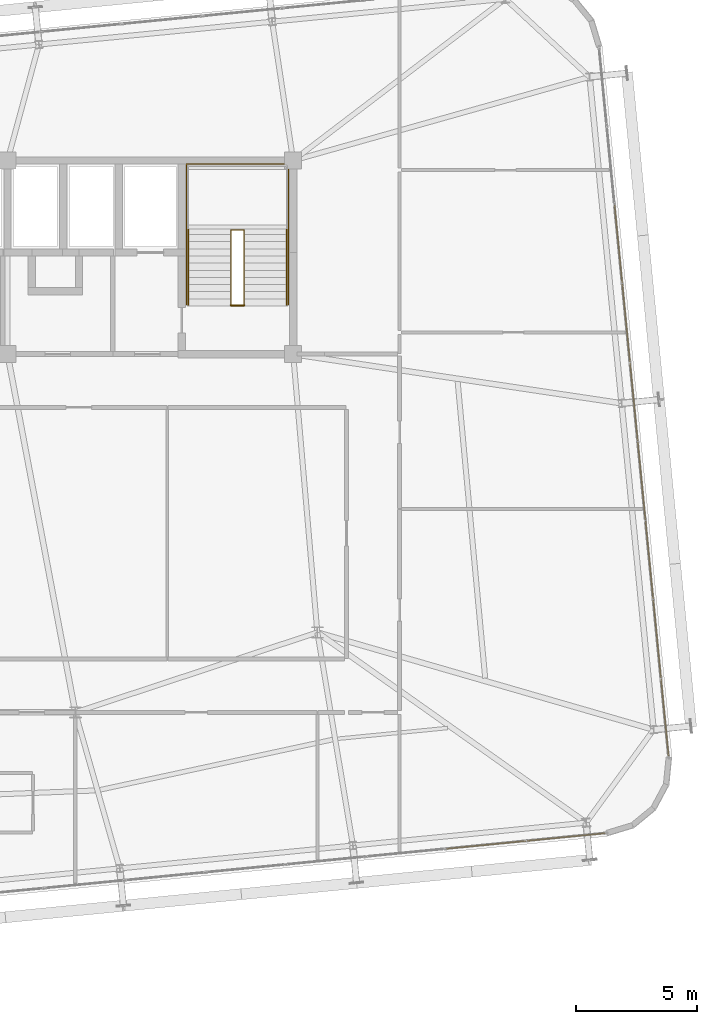
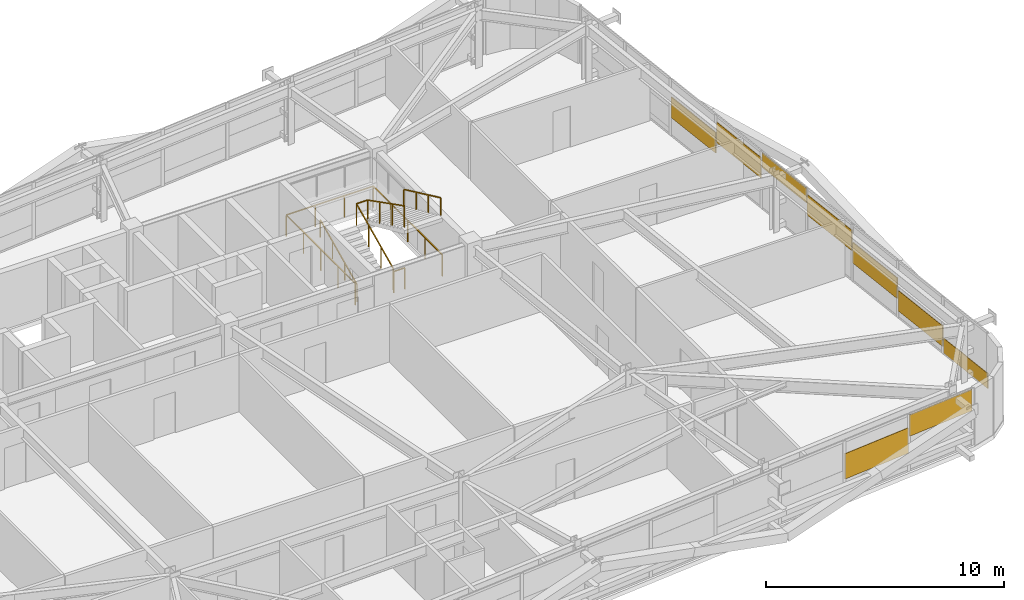
# One storey, part 51 of 52: 9 coverings, 5 railings.
"""IFC4 building model written with IfcOpenShell, lengths in metres."""

from ifc_helpers import new_model, si_unit, direction, frame, origin, origin_2d, place, context, subcontext, project, spatial, rectangle, extrude, source, transform, mapped, material, layer, layer_set, type_object, element, save


model = new_model("IFC4")

# Units and contexts
model_context = context("Model", 3, precision=1e-05, world=origin(), true_north=direction((0.0, 1.0)))
body_context = subcontext(model_context, "Body", "Model", "MODEL_VIEW")
ifc_project = project(units=[si_unit("LENGTHUNIT", "METRE"), si_unit("AREAUNIT", "SQUARE_METRE"), si_unit("VOLUMEUNIT", "CUBIC_METRE"), si_unit("PLANEANGLEUNIT", "RADIAN"), si_unit("MASSUNIT", "GRAM", prefix="KILO")], contexts=[model_context])

# Site, building, storey
site_placement = place(None, origin())
site = spatial("IfcSite", under=ifc_project, at=site_placement, CompositionType="ELEMENT")
building_placement = place(site_placement, origin())
building = spatial("IfcBuilding", under=site, at=building_placement, Name="Taldren Reach Tower", CompositionType="ELEMENT")
storey_placement = place(building_placement, frame((0.0, 0.0, 93.449951171875)))
storey = spatial("IfcBuildingStorey", under=building, at=storey_placement, Name="L28", CompositionType="ELEMENT", Elevation=93.449951171875)

# Railings
ifc_material_1 = material(Name="Steel Gr 350 (C350L0)", Category="steel")
ifc_layer_1 = layer(ifc_material_1, 0.050048828125)
ifc_layer_set_1 = layer_set([ifc_layer_1], Name="Steel Gr 350 (C350L0)")
railing_type_1 = type_object("IfcRailingType", Name="RL-STAIR-GR", PredefinedType="GUARDRAIL", material=ifc_layer_set_1)
railing_1_placement = place(storey_placement, frame((48.429931640625, 26.050048828125, 0.13134765625)))
element("IfcRailing", 1, at=railing_1_placement, inside=storey, type_object=railing_type_1, Name="Stairwell inner guard ST2-L28", PredefinedType="GUARDRAIL", context=body_context, shape_type="SweptSolid", body=[
    extrude(rectangle(XDim=0.047852, YDim=0.047852, at=origin_2d()), frame((0.0, 0.0, 1.09619140625), z_axis=(0.0, 0.905737652094, 0.423838773095), x_axis=(-1.0, 0.0, 0.0)), (0.0, 0.0, 1.0), 3.406005859375),
    extrude(rectangle(XDim=0.047852, YDim=0.047852, at=origin_2d()), frame((0.0, 3.0849609375, 2.53955078125), z_axis=(1.0, 0.0, 0.0), x_axis=(0.0, 1.0, 0.0)), (0.0, 0.0, 1.0), 0.5400390625),
    extrude(rectangle(XDim=0.047852, YDim=0.047852, at=origin_2d()), frame((0.5400390625, 3.0849609375, 2.53955078125), z_axis=(0.0, -0.890617412389, 0.454753366946), x_axis=(1.0, 0.0, 0.0)), (0.0, 0.0, 1.0), 3.4638671875),
    extrude(rectangle(XDim=0.041992, YDim=0.041992, at=origin_2d()), origin(), (0.0, 0.0, 1.0), 1.072021484375),
    extrude(rectangle(XDim=0.041992, YDim=0.041992, at=origin_2d()), frame((0.0, 1.0283203125, 0.481201171875)), (0.0, 0.0, 1.0), 1.072021484375),
    extrude(rectangle(XDim=0.041992, YDim=0.041992, at=origin_2d()), frame((0.0, 2.056640625, 0.96240234375)), (0.0, 0.0, 1.0), 1.072021484375),
    extrude(rectangle(XDim=0.041992, YDim=0.041992, at=origin_2d()), frame((0.0, 3.0849609375, 1.443603515625)), (0.0, 0.0, 1.0), 1.072021484375),
    extrude(rectangle(XDim=0.041992, YDim=0.041992, at=origin_2d()), frame((0.5400390625, 3.0849609375, 1.443603515625)), (0.0, 0.0, 1.0), 1.072021484375),
    extrude(rectangle(XDim=0.041992, YDim=0.041992, at=origin_2d()), frame((0.5400390625, 2.056640625, 1.96875)), (0.0, 0.0, 1.0), 1.072021484375),
    extrude(rectangle(XDim=0.041992, YDim=0.041992, at=origin_2d()), frame((0.5400390625, 1.0283203125, 2.49365234375)), (0.0, 0.0, 1.0), 1.072021484375),
    extrude(rectangle(XDim=0.041992, YDim=0.041992, at=origin_2d()), frame((0.5400390625, 0.0, 3.018798828125)), (0.0, 0.0, 1.0), 1.072021484375),
])
railing_2_placement = place(storey_placement, frame((48.429931640625, 26.010009765625, 0.0)))
element("IfcRailing", 2, at=railing_2_placement, inside=storey, type_object=railing_type_1, Name="Stairwell landing slot guard ST2-L28", PredefinedType="GUARDRAIL", context=body_context, shape_type="SweptSolid", body=[
    extrude(rectangle(XDim=0.047852, YDim=0.047852, at=origin_2d()), frame((0.0, 0.0, 1.09619140625), z_axis=(1.0, 0.0, 0.0), x_axis=(0.0, 1.0, 0.0)), (0.0, 0.0, 1.0), 0.5400390625),
    extrude(rectangle(XDim=0.041992, YDim=0.041992, at=origin_2d()), origin(), (0.0, 0.0, 1.0), 1.072021484375),
    extrude(rectangle(XDim=0.041992, YDim=0.041992, at=origin_2d()), frame((0.5400390625, 0.0, 0.0)), (0.0, 0.0, 1.0), 1.072021484375),
])
railing_3_placement = place(storey_placement, frame((46.590087890625, 26.050048828125, 0.0)))
element("IfcRailing", 3, at=railing_3_placement, inside=storey, type_object=railing_type_1, Name="Stairwell floor opening guard ST2-L28", PredefinedType="GUARDRAIL", context=body_context, shape_type="SweptSolid", body=[
    extrude(rectangle(XDim=0.047852, YDim=0.047852, at=origin_2d()), frame((0.0, 0.0, 1.09619140625), z_axis=(0.0, 1.0, 0.0), x_axis=(-1.0, 0.0, 0.0)), (0.0, 0.0, 1.0), 5.800048828125),
    extrude(rectangle(XDim=0.047852, YDim=0.047852, at=origin_2d()), frame((0.0, 5.800048828125, 1.09619140625), z_axis=(1.0, 0.0, 0.0), x_axis=(0.0, 1.0, 0.0)), (0.0, 0.0, 1.0), 4.219970703125),
    extrude(rectangle(XDim=0.047852, YDim=0.047852, at=origin_2d()), frame((4.219970703125, 5.800048828125, 1.09619140625), z_axis=(0.0, -1.0, 0.0), x_axis=(1.0, 0.0, 0.0)), (0.0, 0.0, 1.0), 5.800048828125),
    extrude(rectangle(XDim=0.041992, YDim=0.041992, at=origin_2d()), origin(), (0.0, 0.0, 1.0), 1.072021484375),
    extrude(rectangle(XDim=0.041992, YDim=0.041992, at=origin_2d()), frame((0.0, 1.449951171875, 0.0)), (0.0, 0.0, 1.0), 1.072021484375),
    extrude(rectangle(XDim=0.041992, YDim=0.041992, at=origin_2d()), frame((0.0, 2.89990234375, 0.0)), (0.0, 0.0, 1.0), 1.072021484375),
    extrude(rectangle(XDim=0.041992, YDim=0.041992, at=origin_2d()), frame((0.0, 4.35009765625, 0.0)), (0.0, 0.0, 1.0), 1.072021484375),
    extrude(rectangle(XDim=0.041992, YDim=0.041992, at=origin_2d()), frame((0.0, 5.800048828125, 0.0)), (0.0, 0.0, 1.0), 1.072021484375),
    extrude(rectangle(XDim=0.041992, YDim=0.041992, at=origin_2d()), frame((1.40673828125, 5.800048828125, 0.0)), (0.0, 0.0, 1.0), 1.072021484375),
    extrude(rectangle(XDim=0.041992, YDim=0.041992, at=origin_2d()), frame((2.813232421875, 5.800048828125, 0.0)), (0.0, 0.0, 1.0), 1.072021484375),
    extrude(rectangle(XDim=0.041992, YDim=0.041992, at=origin_2d()), frame((4.219970703125, 5.800048828125, 0.0)), (0.0, 0.0, 1.0), 1.072021484375),
    extrude(rectangle(XDim=0.041992, YDim=0.041992, at=origin_2d()), frame((4.219970703125, 4.35009765625, 0.0)), (0.0, 0.0, 1.0), 1.072021484375),
    extrude(rectangle(XDim=0.041992, YDim=0.041992, at=origin_2d()), frame((4.219970703125, 2.89990234375, 0.0)), (0.0, 0.0, 1.0), 1.072021484375),
    extrude(rectangle(XDim=0.041992, YDim=0.041992, at=origin_2d()), frame((4.219970703125, 1.449951171875, 0.0)), (0.0, 0.0, 1.0), 1.072021484375),
    extrude(rectangle(XDim=0.041992, YDim=0.041992, at=origin_2d()), frame((4.219970703125, 0.0, 0.0)), (0.0, 0.0, 1.0), 1.072021484375),
])
ifc_material_2 = material(Name="Stainless Steel Gr 316", Category="steel")
ifc_layer_2 = layer(ifc_material_2, 0.048095703125)
ifc_layer_set_2 = layer_set([ifc_layer_2], Name="Stainless Steel Gr 316")
railing_type_2 = type_object("IfcRailingType", Name="RL-STAIR-HR", PredefinedType="HANDRAIL", material=ifc_layer_set_2)
railing_4_placement = place(storey_placement, frame((46.669921875, 26.050048828125, 0.13134765625)))
element("IfcRailing", 4, at=railing_4_placement, inside=storey, type_object=railing_type_2, Name="Stair flight handrail ST2-L28-1", PredefinedType="HANDRAIL", context=body_context, shape_type="SweptSolid", body=[
    extrude(rectangle(XDim=0.047852, YDim=0.047852, at=origin_2d()), frame((0.0, 0.0, 0.89599609375), z_axis=(0.0, 0.905737652094, 0.423838773095), x_axis=(-1.0, 0.0, 0.0)), (0.0, 0.0, 1.0), 3.406005859375),
    extrude(rectangle(XDim=0.041992, YDim=0.041992, at=origin_2d()), origin(), (0.0, 0.0, 1.0), 0.871826171875),
    extrude(rectangle(XDim=0.041992, YDim=0.041992, at=origin_2d()), frame((0.0, 1.0283203125, 0.481201171875)), (0.0, 0.0, 1.0), 0.871826171875),
    extrude(rectangle(XDim=0.041992, YDim=0.041992, at=origin_2d()), frame((0.0, 2.056640625, 0.96240234375)), (0.0, 0.0, 1.0), 0.871826171875),
    extrude(rectangle(XDim=0.041992, YDim=0.041992, at=origin_2d()), frame((0.0, 3.0849609375, 1.443603515625)), (0.0, 0.0, 1.0), 0.871826171875),
])
railing_5_placement = place(storey_placement, frame((50.72998046875, 29.135009765625, 1.706298828125)))
element("IfcRailing", 5, at=railing_5_placement, inside=storey, type_object=railing_type_2, Name="Stair flight handrail ST2-L28-2", PredefinedType="HANDRAIL", context=body_context, shape_type="SweptSolid", body=[
    extrude(rectangle(XDim=0.047852, YDim=0.047852, at=origin_2d()), frame((0.0, 0.0, 0.89599609375), z_axis=(0.0, -0.905710134349, 0.423897573167), x_axis=(1.0, 0.0, 0.0)), (0.0, 0.0, 1.0), 3.406005859375),
    extrude(rectangle(XDim=0.041992, YDim=0.041992, at=origin_2d()), origin(), (0.0, 0.0, 1.0), 0.871826171875),
    extrude(rectangle(XDim=0.041992, YDim=0.041992, at=origin_2d()), frame((0.0, -1.0283203125, 0.481201171875)), (0.0, 0.0, 1.0), 0.871826171875),
    extrude(rectangle(XDim=0.041992, YDim=0.041992, at=origin_2d()), frame((0.0, -2.056640625, 0.962646484375)), (0.0, 0.0, 1.0), 0.871826171875),
    extrude(rectangle(XDim=0.041992, YDim=0.041992, at=origin_2d()), frame((0.0, -3.0849609375, 1.44384765625)), (0.0, 0.0, 1.0), 0.871826171875),
])

# Coverings
ifc_material_3 = material(Name="Pale Champagne Fluoropolymer Aluminium Spandrel Cladding", Category="aluminium")
ifc_layer_3 = layer(ifc_material_3, 0.0439453125)
ifc_layer_set_3 = layer_set([ifc_layer_3], Name="Pale Champagne Fluoropolymer Aluminium Spandrel Cladding")
covering_type = type_object("IfcCoveringType", Name="CV-CLAD-044", PredefinedType="CLADDING", material=ifc_layer_set_3)
shared_shape_1 = source(origin(), body_context, "Body", "SweptSolid", [
    extrude(rectangle(XDim=3.23583984375, YDim=0.0439453125, at=origin_2d()), origin(), (0.0, 0.0, 1.0), 1.094970703125),
])
covering_1_placement = place(storey_placement, frame((62.274169921875, 4.04931640625, 1.7802734375), z_axis=(0.0, 0.0, 1.0), x_axis=(0.995227390247, 0.097582999046, 0.0)))
element("IfcCovering", 6, at=covering_1_placement, inside=storey, type_object=covering_type, Name="Diagrid closure cladding strip CW-3 panel 15.1 1", PredefinedType="CLADDING", context=body_context, shape_type="MappedRepresentation", body=[
    mapped(shared_shape_1, transform((0.0, 0.0, 0.0), scale=1.0)),
])
shared_shape_2 = source(origin(), body_context, "Body", "SweptSolid", [
    extrude(rectangle(XDim=3.268310546875, YDim=0.0439453125, at=origin_2d()), origin(), (0.0, 0.0, 1.0), 1.3046875),
])
covering_2_placement = place(storey_placement, frame((58.972900390625, 3.7255859375, 0.943359375), z_axis=(0.0, 0.0, 1.0), x_axis=(0.995227390247, 0.097582999046, 0.0)))
element("IfcCovering", 7, at=covering_2_placement, inside=storey, type_object=covering_type, Name="Diagrid closure cladding strip CW-3 panel 14.1 1", PredefinedType="CLADDING", context=body_context, shape_type="MappedRepresentation", body=[
    mapped(shared_shape_2, transform((0.0, 0.0, 0.0), scale=1.0)),
])
shared_shape_3 = source(origin(), body_context, "Body", "SweptSolid", [
    extrude(rectangle(XDim=3.212890625, YDim=0.0439453125, at=origin_2d()), origin(), (0.0, 0.0, 1.0), 1.053466796875),
])
for number, where, z_axis, x_axis, name in (
    (8, (66.03662109375, 12.232177734375, 0.35986328125), (0.0, 0.0, 1.0), (-0.09758274098, 0.99522741555, 0.0), "Diagrid closure cladding strip CW-3 panel 2.1 1"),
    (9, (65.716796875, 15.494384765625, 0.94775390625), (0.0, 0.0, 1.0), (-0.09758274098, 0.99522741555, 0.0), "Diagrid closure cladding strip CW-3 panel 3.1 1"),
    (10, (65.39697265625, 18.756591796875, 1.53564453125), (0.0, 0.0, 1.0), (-0.09758274098, 0.99522741555, 0.0), "Diagrid closure cladding strip CW-3 panel 4.1 1"),
    (11, (64.757080078125, 25.28076171875, 1.53564453125), (0.0, 0.0, 1.0), (-0.09758274098, 0.99522741555, 0.0), "Diagrid closure cladding strip CW-3 panel 6.1 1"),
    (12, (64.437255859375, 28.54296875, 0.94775390625), (0.0, 0.0, 1.0), (-0.09758274098, 0.99522741555, 0.0), "Diagrid closure cladding strip CW-3 panel 7.1 1"),
):
    element("IfcCovering", number, at=place(storey_placement, frame(where, z_axis=z_axis, x_axis=x_axis)), inside=storey, type_object=covering_type, Name=name, PredefinedType="CLADDING", context=body_context, shape_type="MappedRepresentation", body=[
        mapped(shared_shape_3, transform((0.0, 0.0, 0.0), scale=1.0)),
    ])
shared_shape_4 = source(origin(), body_context, "Body", "SweptSolid", [
    extrude(rectangle(XDim=3.18017578125, YDim=0.0439453125, at=origin_2d()), origin(), (0.0, 0.0, 1.0), 0.7705078125),
])
covering_3_placement = place(storey_placement, frame((66.35498046875, 8.986328125, 0.054931640625), z_axis=(0.0, 0.0, 1.0), x_axis=(-0.09758274098, 0.99522741555, 0.0)))
element("IfcCovering", 13, at=covering_3_placement, inside=storey, type_object=covering_type, Name="Diagrid closure cladding strip CW-3 panel 1.1 1", PredefinedType="CLADDING", context=body_context, shape_type="MappedRepresentation", body=[
    mapped(shared_shape_4, transform((0.0, 0.0, 0.0), scale=1.0)),
])
shared_shape_5 = source(origin(), body_context, "Body", "SweptSolid", [
    extrude(rectangle(XDim=3.212890625, YDim=0.0439453125, at=origin_2d()), origin(), (0.0, 0.0, 1.0), 0.751708984375),
])
covering_4_placement = place(storey_placement, frame((65.0771484375, 22.0185546875, 2.12353515625), z_axis=(0.0, 0.0, 1.0), x_axis=(-0.09758274098, 0.99522741555, 0.0)))
element("IfcCovering", 14, at=covering_4_placement, inside=storey, type_object=covering_type, Name="Diagrid closure cladding strip CW-3 panel 5.1 1", PredefinedType="CLADDING", context=body_context, shape_type="MappedRepresentation", body=[
    mapped(shared_shape_5, transform((0.0, 0.0, 0.0), scale=1.0)),
])

save(model, "model.ifc")
